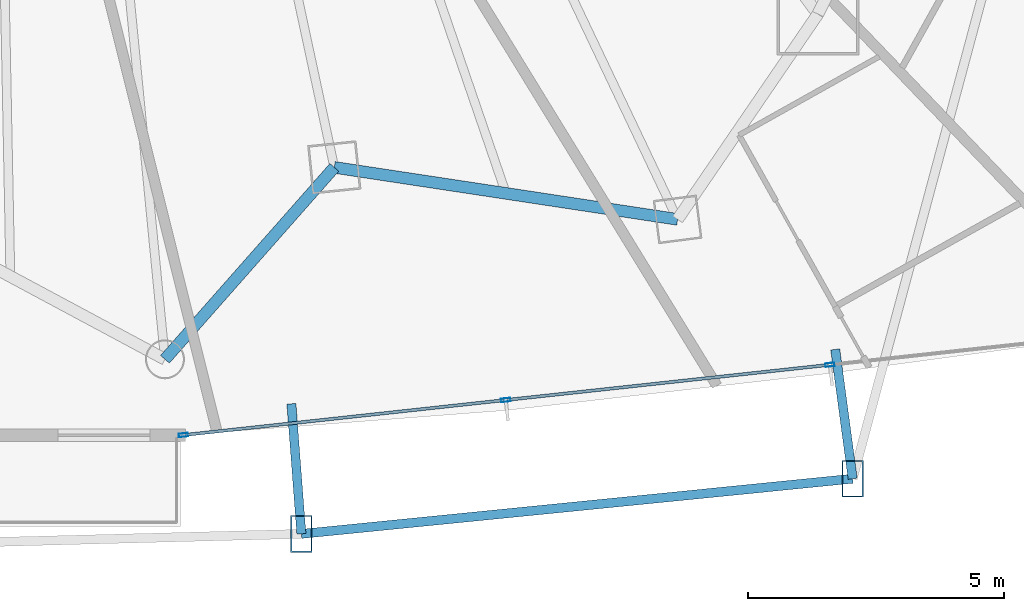
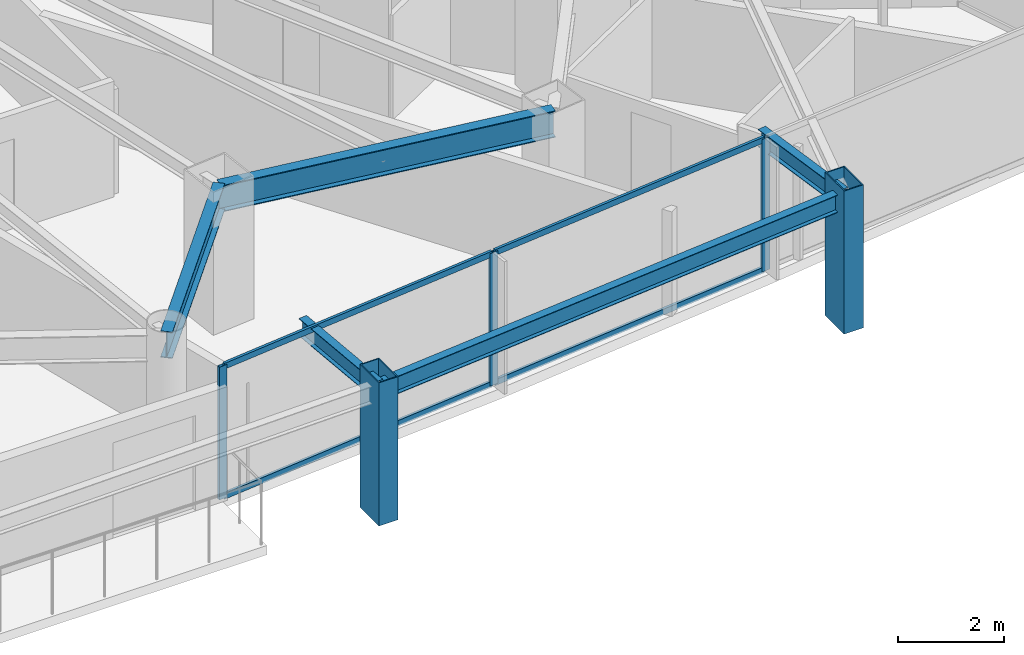
# One storey, part 12 of 34: 9 members, 5 beams, 1 element without a shape of its own.
"""IFC4 building model written with IfcOpenShell, lengths in metres."""

import ifcopenshell
import ifcopenshell.guid

model = None  # the IFC model being written
_history = None  # IfcOwnerHistory: only IFC2X3 demands one
_inside = {}  # id of a spatial element -> (the spatial element, [elements in it])
_under = {}  # id of a project, library or spatial element -> (it, [spatial elements below it])
_declared = {}  # id of a project -> (the project, [libraries it declares])
_typed = {}  # id of a type object -> (the type object, [elements of that type])
_made_of = {}  # id of a material, layer set ... -> (it, [elements and type objects made of it])


def new_model(schema):
    """Start an empty IFC model of exactly this schema.

    Asked for "IFC4X3", IfcOpenShell would pick the latest addendum, in which some entities
    have other attributes; the version numbers below select the first issue.
    IFC2X3 requires an IfcOwnerHistory on every rooted entity: one is made here for all.
    """
    global model, _history
    if schema == "IFC4X3":
        model = ifcopenshell.file(schema_version=(4, 3, 0, 0))
    else:
        model = ifcopenshell.file(schema=schema)
    _inside.clear()
    _under.clear()
    _declared.clear()
    _typed.clear()
    _made_of.clear()
    _history = None
    if model.schema == "IFC2X3":
        org = make("IfcOrganization", Name="unknown")
        user = make(
            "IfcPersonAndOrganization",
            ThePerson=make("IfcPerson", FamilyName="unknown"),
            TheOrganization=org,
        )
        app = make(
            "IfcApplication",
            ApplicationDeveloper=org,
            Version="unknown",
            ApplicationFullName="unknown",
            ApplicationIdentifier="unknown",
        )
        _history = make(
            "IfcOwnerHistory",
            OwningUser=user,
            OwningApplication=app,
            ChangeAction="ADDED",
            CreationDate=0,
        )
    return model


def make(cls, **values):
    """One entity of the class cls with the attributes given. An attribute that is None is left unset."""
    return model.create_entity(
        cls, **{name: value for name, value in values.items() if value is not None}
    )


def rooted(cls, **values):
    """An entity with a GlobalId (a new one), such as an element, a storey or a relation."""
    return make(cls, GlobalId=ifcopenshell.guid.new(), OwnerHistory=_history, **values)


def si_unit(unit_type, name, prefix=None):
    """IfcSIUnit, for example si_unit("LENGTHUNIT", "METRE", prefix="MILLI")."""
    return make("IfcSIUnit", UnitType=unit_type, Prefix=prefix, Name=name)


def assignment(units):
    """IfcUnitAssignment: the units of a project."""
    return None if units is None else make("IfcUnitAssignment", Units=units)


def point(xyz):
    """IfcCartesianPoint."""
    return None if xyz is None else make("IfcCartesianPoint", Coordinates=xyz)


def direction(xyz):
    """IfcDirection."""
    return None if xyz is None else make("IfcDirection", DirectionRatios=xyz)


def frame(location, z_axis=None, x_axis=None):
    """IfcAxis2Placement3D, a coordinate frame: its origin and axes. An axis left out is left unset."""
    return make(
        "IfcAxis2Placement3D",
        Location=point(location),
        Axis=direction(z_axis),
        RefDirection=direction(x_axis),
    )


def frame_2d(location, x_axis=None):
    """IfcAxis2Placement2D, a coordinate frame in the plane: its origin and x axis."""
    return make(
        "IfcAxis2Placement2D", Location=point(location), RefDirection=direction(x_axis)
    )


def origin():
    """The frame at (0, 0, 0) with its axes left unset."""
    return frame((0.0, 0.0, 0.0))


def origin_2d():
    """The frame at (0, 0) in the plane with its x axis left unset."""
    return frame_2d((0.0, 0.0))


def place(relative_to, where):
    """IfcLocalPlacement: puts the frame where relative to a parent placement (None: the world)."""
    return make(
        "IfcLocalPlacement", PlacementRelTo=relative_to, RelativePlacement=where
    )


def context(
    kind, dimensions, precision=None, world=None, true_north=None, identifier=None
):
    """IfcGeometricRepresentationContext, for example the 3D "Model" context."""
    return make(
        "IfcGeometricRepresentationContext",
        ContextIdentifier=identifier,
        ContextType=kind,
        CoordinateSpaceDimension=dimensions,
        Precision=precision,
        WorldCoordinateSystem=world,
        TrueNorth=true_north,
    )


def subcontext(parent, identifier, kind, view, scale=None):
    """IfcGeometricRepresentationSubContext, for example "Body" below "Model"."""
    return make(
        "IfcGeometricRepresentationSubContext",
        ContextIdentifier=identifier,
        ContextType=kind,
        ParentContext=parent,
        TargetScale=scale,
        TargetView=view,
    )


def project(units=None, contexts=None):
    """IfcProject with its units and contexts."""
    return rooted(
        "IfcProject",
        Name="project",
        RepresentationContexts=contexts,
        UnitsInContext=assignment(units),
    )


def spatial(cls, under=None, at=None, **own):
    """A site, building, storey or space (cls), placed at a placement, below another one or the project."""
    s = rooted(cls, ObjectPlacement=at, **own)
    if under is not None:
        _under.setdefault(under.id(), (under, []))[1].append(s)
    return s


def profile(cls, at=None, kind="AREA", **sizes):
    """A parametric profile (cls). Its sizes go by their IFC names, for example OverallWidth=200.0."""
    return make(cls, ProfileType=kind, Position=at, **sizes)


def hollow_rectangle(**sizes):
    """IfcRectangleHollowProfileDef."""
    return profile("IfcRectangleHollowProfileDef", **sizes)


def i_section(**sizes):
    """IfcIShapeProfileDef."""
    return profile("IfcIShapeProfileDef", **sizes)


def extrude(swept, where, along, depth):
    """IfcExtrudedAreaSolid: the profile swept, set in the frame where, extruded along a direction by depth."""
    return make(
        "IfcExtrudedAreaSolid",
        SweptArea=swept,
        Position=where,
        ExtrudedDirection=direction(along),
        Depth=depth,
    )


def shape(context_of_items, identifier, shape_type, items):
    """IfcShapeRepresentation: the items that make up one representation, for example the "Body"."""
    return make(
        "IfcShapeRepresentation",
        ContextOfItems=context_of_items,
        RepresentationIdentifier=identifier,
        RepresentationType=shape_type,
        Items=items,
    )


def material(Name=None, Category=None):
    """IfcMaterial."""
    return make("IfcMaterial", Name=Name, Category=Category)


def layer(
    of_material, thickness, ventilated=None, Name=None, Category=None, Priority=None
):
    """IfcMaterialLayer: one layer of a wall or slab, of a material (None: an air gap)."""
    return make(
        "IfcMaterialLayer",
        Material=of_material,
        LayerThickness=thickness,
        IsVentilated=ventilated,
        Name=Name,
        Category=Category,
        Priority=Priority,
    )


def layer_set(layers, Name=None):
    """IfcMaterialLayerSet."""
    return make("IfcMaterialLayerSet", MaterialLayers=layers, LayerSetName=Name)


def material_profile(
    of_material, cross_section, Name=None, Category=None, Priority=None
):
    """IfcMaterialProfile: a cross section and its material."""
    return make(
        "IfcMaterialProfile",
        Name=Name,
        Material=of_material,
        Profile=cross_section,
        Priority=Priority,
        Category=Category,
    )


def profile_set(profiles, Name=None, composite=None):
    """IfcMaterialProfileSet."""
    return make(
        "IfcMaterialProfileSet",
        Name=Name,
        MaterialProfiles=profiles,
        CompositeProfile=composite,
    )


def made_of(thing, what):
    """Note that an element or type object is made of a material, layer set ...; save() writes the relation."""
    if what is not None:
        _made_of.setdefault(what.id(), (what, []))[1].append(thing)
    return thing


def type_object(cls, material=None, **own):
    """A type object (cls), such as IfcWallType, which elements share."""
    return made_of(rooted(cls, **own), material)


def element(
    cls,
    number,
    at=None,
    inside=None,
    cuts=None,
    type_object=None,
    material=None,
    context=None,
    identifier="Body",
    shape_type=None,
    held_by="IfcProductDefinitionShape",
    body=None,
    shapes=None,
    **own,
):
    """One element of the class cls, such as IfcWall. Its Tag is "e" and its number.

    at: its placement. inside: the storey or other place that contains it. cuts: it is an
    opening in that element (IfcRelVoidsElement). A single representation is given by context,
    identifier, shape_type and body (its items); several are given by shapes. held_by: the class
    of the entity that holds the representations. save() writes the other relations.
    """
    e = rooted(cls, Tag="e%d" % number, ObjectPlacement=at, **own)
    if body is not None:
        shapes = [shape(context, identifier, shape_type, body)]
    if shapes is not None:
        e.Representation = make(held_by, Representations=shapes)
    if inside is not None:
        _inside.setdefault(inside.id(), (inside, []))[1].append(e)
    if cuts is not None:
        rooted(
            "IfcRelVoidsElement", RelatingBuildingElement=cuts, RelatedOpeningElement=e
        )
    if type_object is not None:
        _typed.setdefault(type_object.id(), (type_object, []))[1].append(e)
    return made_of(e, material)


def aggregate(whole, parts):
    """IfcRelAggregates: a whole, such as a stair, and the parts it consists of."""
    return rooted("IfcRelAggregates", RelatingObject=whole, RelatedObjects=parts)


def save(model, path):
    """Write the relations noted so far, then the file.

    IfcRelAggregates (storeys below a building ...), IfcRelContainedInSpatialStructure (elements
    in a storey), IfcRelDefinesByType, IfcRelAssociatesMaterial and IfcRelDeclares: one each for
    every whole, place, type object, material and project.
    """
    for whole, parts in _under.values():
        aggregate(whole, parts)
    for where, things in _inside.values():
        rooted(
            "IfcRelContainedInSpatialStructure",
            RelatedElements=things,
            RelatingStructure=where,
        )
    for kind, things in _typed.values():
        rooted("IfcRelDefinesByType", RelatedObjects=things, RelatingType=kind)
    for what, things in _made_of.values():
        rooted("IfcRelAssociatesMaterial", RelatedObjects=things, RelatingMaterial=what)
    for by, libraries in _declared.values():
        rooted("IfcRelDeclares", RelatingContext=by, RelatedDefinitions=libraries)
    model.write(path)


model = new_model("IFC4")

# Units and contexts
model_context = context("Model", 3, precision=1e-05, world=origin(), true_north=direction((0.0, 1.0)))
body_context = subcontext(model_context, "Body", "Model", "MODEL_VIEW")
ifc_project = project(units=[si_unit("LENGTHUNIT", "METRE"), si_unit("AREAUNIT", "SQUARE_METRE"), si_unit("VOLUMEUNIT", "CUBIC_METRE"), si_unit("PLANEANGLEUNIT", "RADIAN"), si_unit("MASSUNIT", "GRAM", prefix="KILO")], contexts=[model_context])

# Site, building, storey
site_placement = place(None, origin())
site = spatial("IfcSite", under=ifc_project, at=site_placement, CompositionType="ELEMENT")
building_placement = place(site_placement, origin())
building = spatial("IfcBuilding", under=site, at=building_placement, Name="Orvanel Arch Residences", CompositionType="ELEMENT")
storey_placement = place(building_placement, frame((0.0, 0.0, 77.449951171875)))
storey = spatial("IfcBuildingStorey", under=building, at=storey_placement, Name="L21", CompositionType="ELEMENT", Elevation=77.449951171875)

# Members
ifc_material_1 = material(Name="Structural steel AS/NZS 3678 Grade 350", Category="steel")
ifc_material_profile_1 = material_profile(ifc_material_1, hollow_rectangle(XDim=0.419921875, YDim=0.719970703125, WallThickness=0.02490234375, at=origin_2d()), Name="RHS720x420x25")
ifc_profile_set_1 = profile_set([ifc_material_profile_1], Name="Structural steel AS/NZS 3678 Grade 350")
member_type_1 = type_object("IfcMemberType", Name="CH-720RHS-EXT", PredefinedType="CHORD", material=ifc_profile_set_1)
for number, where, z_axis, x_axis, name in (
    (1, (41.7080078125, 0.193115234375, 0.0), (0.0, 0.0, 1.0), (1.0, 0.0, 0.0), "L21 Outer Perimeter Frame Post 07"),
    (2, (52.48095703125, 1.27099609375, 0.0), (0.0, 0.0, 1.0), (1.0, 0.0, 0.0), "L21 Outer Perimeter Frame Post 08"),
):
    element("IfcMember", number, at=place(storey_placement, frame(where, z_axis=z_axis, x_axis=x_axis)), inside=storey, type_object=member_type_1, Name=name, PredefinedType="CHORD", context=body_context, shape_type="SweptSolid", body=[
        extrude(hollow_rectangle(XDim=0.419921875, YDim=0.719970703125, WallThickness=0.02490234375, at=origin_2d()), origin(), (0.0, 0.0, 1.0), 3.300048828125),
    ])

# Curtain wall, members
ifc_material_2 = material(Name="Bronze-anodised aluminium AA6063-T6", Category="aluminium")
ifc_layer = layer(ifc_material_2, 0.179931640625)
ifc_layer_set = layer_set([ifc_layer], Name="Bronze-anodised aluminium AA6063-T6")
curtain_wall_type = type_object("IfcCurtainWallType", Name="CW2-LOW-SYS", PredefinedType="NOTDEFINED", material=ifc_layer_set)
curtain_wall_placement = place(storey_placement, origin())
curtain_wall = element("IfcCurtainWall", 3, at=curtain_wall_placement, inside=storey, type_object=curtain_wall_type, Name="L21 CW2-LOW-SYS Unitised Curtain Wall", PredefinedType="NOTDEFINED")
ifc_material_profile_2 = material_profile(ifc_material_2, hollow_rectangle(XDim=0.070068359375, YDim=0.179931640625, WallThickness=0.00439453125, at=origin_2d()), Name="ALU180x70x4.5")
ifc_profile_set_2 = profile_set([ifc_material_profile_2], Name="Bronze-anodised aluminium AA6063-T6")
member_type_2 = type_object("IfcMemberType", Name="MUL-180x70", PredefinedType="MULLION", material=ifc_profile_set_2)
member_1_placement = place(storey_placement, frame((39.40185546875, 2.123779296875, 0.0), z_axis=(0.0, 0.0, 1.0), x_axis=(-0.10808278479, 0.994141897131, 0.0)))
member_1 = element("IfcMember", 4, at=member_1_placement, type_object=member_type_2, Name="CW-S2 mullion 1", PredefinedType="MULLION", context=body_context, shape_type="SweptSolid", body=[
    extrude(hollow_rectangle(XDim=0.070068359375, YDim=0.179931640625, WallThickness=0.00439453125, at=origin_2d()), origin(), (0.0, 0.0, 1.0), 3.06005859375),
])
member_2_placement = place(storey_placement, frame((45.701416015625, 2.80859375, 0.0), z_axis=(0.0, 0.0, 1.0), x_axis=(-0.10808278479, 0.994141897131, 0.0)))
member_2 = element("IfcMember", 5, at=member_2_placement, type_object=member_type_2, Name="CW-S2 mullion 2", PredefinedType="MULLION", context=body_context, shape_type="SweptSolid", body=[
    extrude(hollow_rectangle(XDim=0.070068359375, YDim=0.179931640625, WallThickness=0.00439453125, at=origin_2d()), origin(), (0.0, 0.0, 1.0), 3.06005859375),
])
member_3_placement = place(storey_placement, frame((52.03564453125, 3.497314453125, 0.0), z_axis=(0.0, 0.0, 1.0), x_axis=(-0.10808278479, 0.994141897131, 0.0)))
member_3 = element("IfcMember", 6, at=member_3_placement, type_object=member_type_2, Name="CW-S2 mullion 3", PredefinedType="MULLION", context=body_context, shape_type="SweptSolid", body=[
    extrude(hollow_rectangle(XDim=0.070068359375, YDim=0.179931640625, WallThickness=0.00439453125, at=origin_2d()), origin(), (0.0, 0.0, 1.0), 3.06005859375),
])

# Beams
ifc_material_3 = material(Name="Structural steel AS/NZS 3679.1 Grade 300 (300 MPa)", Category="steel")
ifc_material_profile_3 = material_profile(ifc_material_3, i_section(OverallWidth=0.177978515625, OverallDepth=0.406005859375, WebThickness=0.0078125, FlangeThickness=0.0126953125, at=origin_2d()), Name="410UB59.7")
ifc_profile_set_3 = profile_set([ifc_material_profile_3], Name="Structural steel AS/NZS 3679.1 Grade 300 (300 MPa)")
beam_type_1 = type_object("IfcBeamType", Name="OB-410UB-EXT", PredefinedType="SPANDREL", material=ifc_profile_set_3)
beam_1_placement = place(storey_placement, frame((41.512939453125, 2.735107421875, 2.85693359375), z_axis=(0.07651342417, -0.997068551265, 0.0), x_axis=(0.997068551265, 0.07651342417, 0.0)))
element("IfcBeam", 7, at=beam_1_placement, inside=storey, type_object=beam_type_1, Name="L21 Outer Frame Radial Tie Beam 07", PredefinedType="SPANDREL", context=body_context, shape_type="SweptSolid", body=[
    extrude(i_section(OverallWidth=0.177978515625, OverallDepth=0.406005859375, WebThickness=0.0078125, FlangeThickness=0.0126953125, at=origin_2d()), origin(), (0.0, 0.0, 1.0), 2.549560546875),
])
beam_2_placement = place(storey_placement, frame((41.7080078125, 0.193115234375, 2.85693359375), z_axis=(0.995031830402, 0.099557302525, 0.0), x_axis=(-0.099557302525, 0.995031830402, 0.0)))
element("IfcBeam", 8, at=beam_2_placement, inside=storey, type_object=beam_type_1, Name="L21 Outer Perimeter Floor Ring Beam 07", PredefinedType="SPANDREL", context=body_context, shape_type="SweptSolid", body=[
    extrude(i_section(OverallWidth=0.177978515625, OverallDepth=0.406005859375, WebThickness=0.0078125, FlangeThickness=0.0126953125, at=origin_2d()), origin(), (0.0, 0.0, 1.0), 10.82666015625),
])
beam_3_placement = place(storey_placement, frame((52.139892578125, 3.798095703125, 2.85693359375), z_axis=(0.133750175633, -0.991015080873, 0.0), x_axis=(0.991015080873, 0.133750175633, 0.0)))
element("IfcBeam", 9, at=beam_3_placement, inside=storey, type_object=beam_type_1, Name="L21 Outer Frame Radial Tie Beam 08", PredefinedType="SPANDREL", context=body_context, shape_type="SweptSolid", body=[
    extrude(i_section(OverallWidth=0.177978515625, OverallDepth=0.406005859375, WebThickness=0.0078125, FlangeThickness=0.0126953125, at=origin_2d()), origin(), (0.0, 0.0, 1.0), 2.550048828125),
])
ifc_material_profile_4 = material_profile(ifc_material_3, i_section(OverallWidth=0.22900390625, OverallDepth=0.612060546875, WebThickness=0.011962890625, FlangeThickness=0.01953125, at=origin_2d()), Name="610UB125")
ifc_profile_set_4 = profile_set([ifc_material_profile_4], Name="Structural steel AS/NZS 3679.1 Grade 300 (300 MPa)")
beam_type_2 = type_object("IfcBeamType", Name="SP-610UB", PredefinedType="SPANDREL", material=ifc_profile_set_4)
beam_4_placement = place(storey_placement, frame((39.0419921875, 3.60498046875, 2.754150390625), z_axis=(0.661650698195, 0.749812212209, 0.0), x_axis=(-0.749812212209, 0.661650698195, 0.0)))
element("IfcBeam", 10, at=beam_4_placement, inside=storey, type_object=beam_type_2, Name="L21 Perimeter Spandrel Beam 08", PredefinedType="SPANDREL", context=body_context, shape_type="SweptSolid", body=[
    extrude(i_section(OverallWidth=0.22900390625, OverallDepth=0.612060546875, WebThickness=0.011962890625, FlangeThickness=0.01953125, at=origin_2d()), origin(), (0.0, 0.0, 1.0), 5.001220703125),
])
beam_5_placement = place(storey_placement, frame((42.35107421875, 7.35498046875, 2.754150390625), z_axis=(0.988726323014, -0.149733958002, 0.0), x_axis=(0.149733958002, 0.988726323014, 0.0)))
element("IfcBeam", 11, at=beam_5_placement, inside=storey, type_object=beam_type_2, Name="L21 Perimeter Spandrel Beam 09", PredefinedType="SPANDREL", context=body_context, shape_type="SweptSolid", body=[
    extrude(i_section(OverallWidth=0.22900390625, OverallDepth=0.612060546875, WebThickness=0.011962890625, FlangeThickness=0.01953125, at=origin_2d()), origin(), (0.0, 0.0, 1.0), 6.784423828125),
])

# Member
ifc_material_profile_5 = material_profile(ifc_material_2, hollow_rectangle(XDim=0.06005859375, YDim=0.135009765625, WallThickness=0.00390625, at=origin_2d()), Name="ALU135x60x4")
ifc_profile_set_5 = profile_set([ifc_material_profile_5], Name="Bronze-anodised aluminium AA6063-T6")
member_type_3 = type_object("IfcMemberType", Name="TRN-135x60", PredefinedType="USERDEFINED", material=ifc_profile_set_5)
member_4_placement = place(storey_placement, frame((39.4365234375, 2.127685546875, 0.030029296875), z_axis=(0.994143189252, 0.108070899247, 0.0), x_axis=(-0.108070899247, 0.994143189252, 0.0)))
member_4 = element("IfcMember", 12, at=member_4_placement, type_object=member_type_3, Name="CW-S2 transom 1.1", ObjectType="TRANSOM", PredefinedType="USERDEFINED", context=body_context, shape_type="SweptSolid", body=[
    extrude(hollow_rectangle(XDim=0.06005859375, YDim=0.135009765625, WallThickness=0.00390625, at=origin_2d()), origin(), (0.0, 0.0, 1.0), 6.2666015625),
])

member_5_placement = place(storey_placement, frame((39.4365234375, 2.127685546875, 3.030029296875), z_axis=(0.994143189252, 0.108070899247, 0.0), x_axis=(-0.108070899247, 0.994143189252, 0.0)))
member_5 = element("IfcMember", 13, at=member_5_placement, type_object=member_type_3, Name="CW-S2 transom 1.2", ObjectType="TRANSOM", PredefinedType="USERDEFINED", context=body_context, shape_type="SweptSolid", body=[
    extrude(hollow_rectangle(XDim=0.06005859375, YDim=0.135009765625, WallThickness=0.00390625, at=origin_2d()), origin(), (0.0, 0.0, 1.0), 6.2666015625),
])

member_6_placement = place(storey_placement, frame((45.736083984375, 2.8125, 0.030029296875), z_axis=(0.994141296023, 0.108088313624, 0.0), x_axis=(-0.108088313624, 0.994141296023, 0.0)))
member_6 = element("IfcMember", 14, at=member_6_placement, type_object=member_type_3, Name="CW-S2 transom 2.1", ObjectType="TRANSOM", PredefinedType="USERDEFINED", context=body_context, shape_type="SweptSolid", body=[
    extrude(hollow_rectangle(XDim=0.06005859375, YDim=0.135009765625, WallThickness=0.00390625, at=origin_2d()), origin(), (0.0, 0.0, 1.0), 6.3017578125),
])

member_7_placement = place(storey_placement, frame((45.736083984375, 2.8125, 3.030029296875), z_axis=(0.994141296023, 0.108088313624, 0.0), x_axis=(-0.108088313624, 0.994141296023, 0.0)))
member_7 = element("IfcMember", 15, at=member_7_placement, type_object=member_type_3, Name="CW-S2 transom 2.2", ObjectType="TRANSOM", PredefinedType="USERDEFINED", context=body_context, shape_type="SweptSolid", body=[
    extrude(hollow_rectangle(XDim=0.06005859375, YDim=0.135009765625, WallThickness=0.00390625, at=origin_2d()), origin(), (0.0, 0.0, 1.0), 6.3017578125),
])

aggregate(curtain_wall, [member_1, member_2, member_3, member_4, member_5, member_6, member_7])

save(model, "model.ifc")
